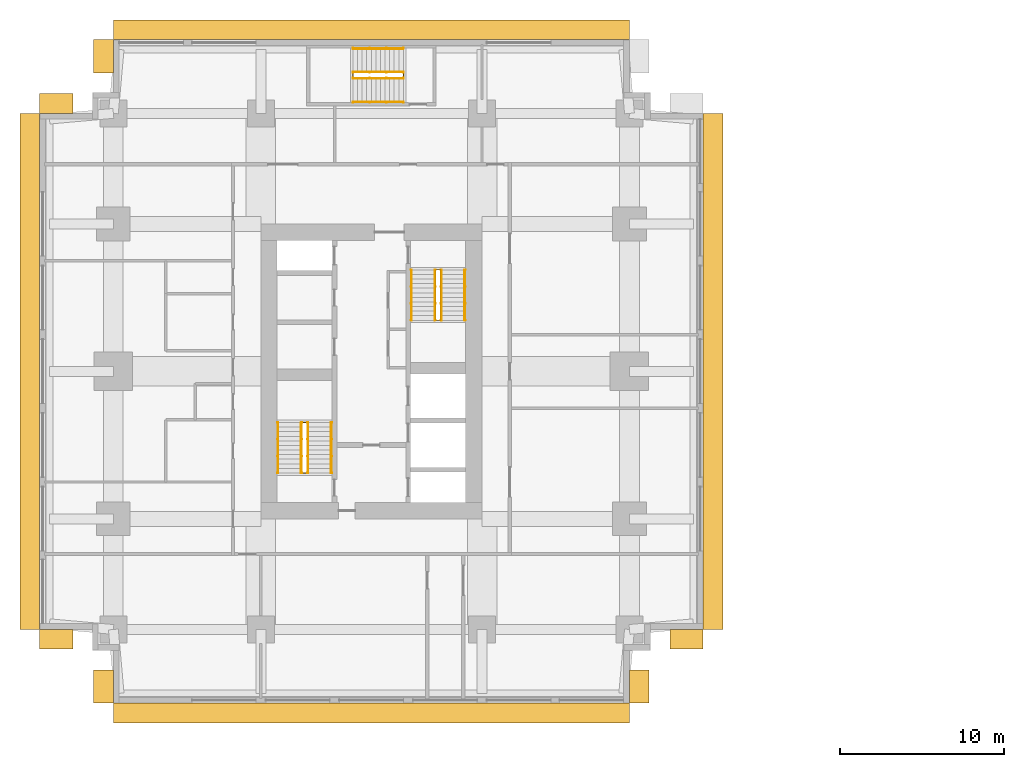
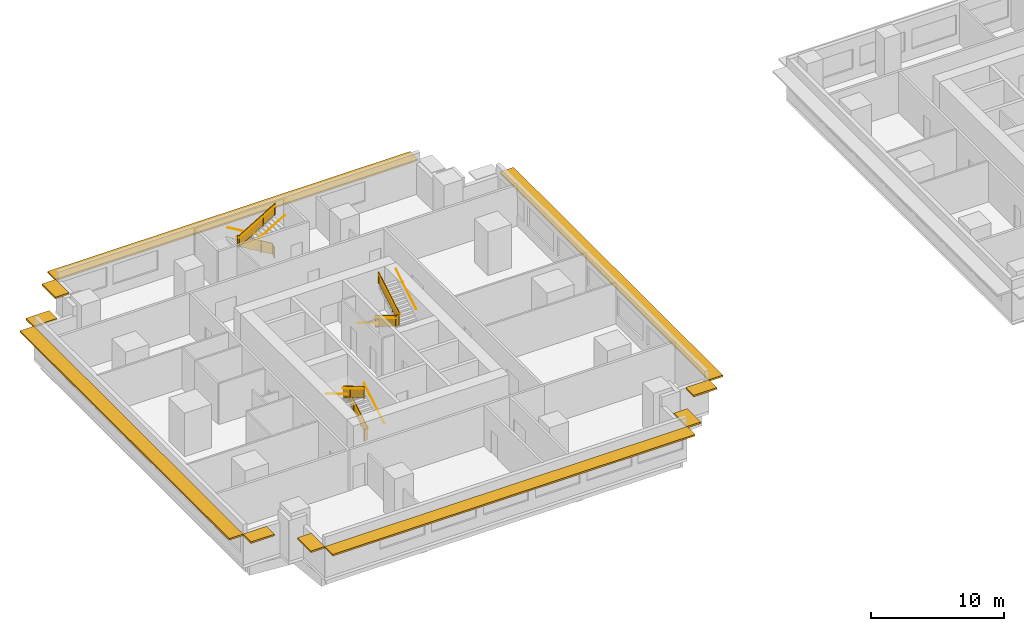
# One storey, part 10 of 11: 15 railings, 10 shading devices.
"""IFC4 building model written with IfcOpenShell, lengths in metres."""

from ifc_helpers import new_model, si_unit, direction, frame, origin, origin_2d, place, context, subcontext, project, spatial, polyline, rectangle, circle, outline, extrude, material, layer, layer_set, type_object, element, save


model = new_model("IFC4")

# Units and contexts
model_context = context("Model", 3, precision=1e-05, world=origin(), true_north=direction((0.0, 1.0)))
body_context = subcontext(model_context, "Body", "Model", "MODEL_VIEW")
ifc_project = project(units=[si_unit("LENGTHUNIT", "METRE"), si_unit("AREAUNIT", "SQUARE_METRE"), si_unit("VOLUMEUNIT", "CUBIC_METRE"), si_unit("PLANEANGLEUNIT", "RADIAN"), si_unit("MASSUNIT", "GRAM", prefix="KILO")], contexts=[model_context])

# Site, building, storey
site_placement = place(None, origin())
site = spatial("IfcSite", under=ifc_project, at=site_placement, CompositionType="ELEMENT")
building_placement = place(site_placement, origin())
building = spatial("IfcBuilding", under=site, at=building_placement, Name="Namib Vertical Campus", CompositionType="ELEMENT")
storey_placement = place(building_placement, frame((0.0, 0.0, 201.0)))
storey = spatial("IfcBuildingStorey", under=building, at=storey_placement, Name="L47", CompositionType="ELEMENT", Elevation=201.0)

# Railings
ifc_material_1 = material(Name="Steel handrail", Category="steel")
railing_type_1 = type_object("IfcRailingType", Name="Handrail 900", PredefinedType="HANDRAIL", material=ifc_material_1)
railing_1_placement = place(storey_placement, frame((17.800048828125, 14.050048828125, 0.166748046875)))
element("IfcRailing", 1, at=railing_1_placement, inside=storey, type_object=railing_type_1, Name="Handrail HR1 A-S1 L47 1", PredefinedType="HANDRAIL", context=body_context, shape_type="SweptSolid", body=[
    extrude(circle(Radius=0.02392578125, at=origin_2d()), frame((0.0, 0.0, 0.8759765625), z_axis=(0.0, 0.859290745958, 0.51148745235), x_axis=(-1.0, 0.0, 0.0)), (0.0, 0.0, 1.0), 3.584228515625),
    extrude(circle(Radius=0.008056640625, at=origin_2d()), frame((0.0, 0.0, 0.8759765625), z_axis=(1.0, 0.0, 0.0), x_axis=(0.0, 0.0, 1.0)), (0.0, 0.0, 1.0), 0.050048828125),
    extrude(circle(Radius=0.008056640625, at=origin_2d()), frame((0.0, 1.026611328125, 1.48681640625), z_axis=(1.0, 0.0, 0.0), x_axis=(0.0, 0.0, 1.0)), (0.0, 0.0, 1.0), 0.050048828125),
    extrude(circle(Radius=0.008056640625, at=origin_2d()), frame((0.0, 2.05322265625, 2.09814453125), z_axis=(1.0, 0.0, 0.0), x_axis=(0.0, 0.0, 1.0)), (0.0, 0.0, 1.0), 0.050048828125),
    extrude(circle(Radius=0.008056640625, at=origin_2d()), frame((0.0, 3.079833984375, 2.708984375), z_axis=(1.0, 0.0, 0.0), x_axis=(0.0, 0.0, 1.0)), (0.0, 0.0, 1.0), 0.050048828125),
])
railing_2_placement = place(storey_placement, frame((14.550048828125, 17.1298828125, 2.166748046875)))
element("IfcRailing", 2, at=railing_2_placement, inside=storey, type_object=railing_type_1, Name="Handrail HR1 A-S1 L47 2", PredefinedType="HANDRAIL", context=body_context, shape_type="SweptSolid", body=[
    extrude(circle(Radius=0.02392578125, at=origin_2d()), frame((0.0, 0.0, 0.8759765625), z_axis=(0.0, -0.859290745958, 0.51148745235), x_axis=(1.0, 0.0, 0.0)), (0.0, 0.0, 1.0), 3.584228515625),
    extrude(circle(Radius=0.008056640625, at=origin_2d()), frame((0.0, 0.0, 0.8759765625), z_axis=(-1.0, 0.0, 0.0), x_axis=(0.0, 0.0, 1.0)), (0.0, 0.0, 1.0), 0.050048828125),
    extrude(circle(Radius=0.008056640625, at=origin_2d()), frame((0.0, -1.026611328125, 1.48681640625), z_axis=(-1.0, 0.0, 0.0), x_axis=(0.0, 0.0, 1.0)), (0.0, 0.0, 1.0), 0.050048828125),
    extrude(circle(Radius=0.008056640625, at=origin_2d()), frame((0.0, -2.05322265625, 2.09814453125), z_axis=(-1.0, 0.0, 0.0), x_axis=(0.0, 0.0, 1.0)), (0.0, 0.0, 1.0), 0.050048828125),
    extrude(circle(Radius=0.008056640625, at=origin_2d()), frame((0.0, -3.079833984375, 2.708984375), z_axis=(-1.0, 0.0, 0.0), x_axis=(0.0, 0.0, 1.0)), (0.0, 0.0, 1.0), 0.050048828125),
])
railing_3_placement = place(storey_placement, frame((16.375, 14.050048828125, 0.166748046875)))
element("IfcRailing", 3, at=railing_3_placement, inside=storey, type_object=railing_type_1, Name="Handrail HR1 A-S1 L47 1 at the well", PredefinedType="HANDRAIL", context=body_context, shape_type="SweptSolid", body=[
    extrude(circle(Radius=0.02392578125, at=origin_2d()), frame((0.0, 0.0, 0.8759765625), z_axis=(0.0, 0.859290745958, 0.51148745235), x_axis=(-1.0, 0.0, 0.0)), (0.0, 0.0, 1.0), 3.584228515625),
    extrude(circle(Radius=0.008056640625, at=origin_2d()), frame((0.0, 0.0, 0.8759765625), z_axis=(-1.0, 0.0, 0.0), x_axis=(0.0, 0.0, 1.0)), (0.0, 0.0, 1.0), 0.0400390625),
    extrude(circle(Radius=0.008056640625, at=origin_2d()), frame((0.0, 1.026611328125, 1.48681640625), z_axis=(-1.0, 0.0, 0.0), x_axis=(0.0, 0.0, 1.0)), (0.0, 0.0, 1.0), 0.0400390625),
    extrude(circle(Radius=0.008056640625, at=origin_2d()), frame((0.0, 2.05322265625, 2.09814453125), z_axis=(-1.0, 0.0, 0.0), x_axis=(0.0, 0.0, 1.0)), (0.0, 0.0, 1.0), 0.0400390625),
    extrude(circle(Radius=0.008056640625, at=origin_2d()), frame((0.0, 3.079833984375, 2.708984375), z_axis=(-1.0, 0.0, 0.0), x_axis=(0.0, 0.0, 1.0)), (0.0, 0.0, 1.0), 0.0400390625),
])
railing_4_placement = place(storey_placement, frame((15.97509765625, 17.1298828125, 2.166748046875)))
element("IfcRailing", 4, at=railing_4_placement, inside=storey, type_object=railing_type_1, Name="Handrail HR1 A-S1 L47 2 at the well", PredefinedType="HANDRAIL", context=body_context, shape_type="SweptSolid", body=[
    extrude(circle(Radius=0.02392578125, at=origin_2d()), frame((0.0, 0.0, 0.8759765625), z_axis=(0.0, -0.859290745958, 0.51148745235), x_axis=(1.0, 0.0, 0.0)), (0.0, 0.0, 1.0), 3.584228515625),
    extrude(circle(Radius=0.008056640625, at=origin_2d()), frame((0.0, 0.0, 0.8759765625), z_axis=(1.0, 0.0, 0.0), x_axis=(0.0, 0.0, 1.0)), (0.0, 0.0, 1.0), 0.0400390625),
    extrude(circle(Radius=0.008056640625, at=origin_2d()), frame((0.0, -1.026611328125, 1.48681640625), z_axis=(1.0, 0.0, 0.0), x_axis=(0.0, 0.0, 1.0)), (0.0, 0.0, 1.0), 0.0400390625),
    extrude(circle(Radius=0.008056640625, at=origin_2d()), frame((0.0, -2.05322265625, 2.09814453125), z_axis=(1.0, 0.0, 0.0), x_axis=(0.0, 0.0, 1.0)), (0.0, 0.0, 1.0), 0.0400390625),
    extrude(circle(Radius=0.008056640625, at=origin_2d()), frame((0.0, -3.079833984375, 2.708984375), z_axis=(1.0, 0.0, 0.0), x_axis=(0.0, 0.0, 1.0)), (0.0, 0.0, 1.0), 0.0400390625),
])
railing_5_placement = place(storey_placement, frame((22.699951171875, 26.449951171875, 0.166748046875)))
element("IfcRailing", 5, at=railing_5_placement, inside=storey, type_object=railing_type_1, Name="Handrail HR1 A-S2 L47 1", PredefinedType="HANDRAIL", context=body_context, shape_type="SweptSolid", body=[
    extrude(circle(Radius=0.02392578125, at=origin_2d()), frame((0.0, 0.0, 0.8759765625), z_axis=(0.0, -0.859290745958, 0.51148745235), x_axis=(1.0, 0.0, 0.0)), (0.0, 0.0, 1.0), 3.584228515625),
    extrude(circle(Radius=0.008056640625, at=origin_2d()), frame((0.0, 0.0, 0.8759765625), z_axis=(-1.0, 0.0, 0.0), x_axis=(0.0, 0.0, 1.0)), (0.0, 0.0, 1.0), 0.050048828125),
    extrude(circle(Radius=0.008056640625, at=origin_2d()), frame((0.0, -1.026611328125, 1.48681640625), z_axis=(-1.0, 0.0, 0.0), x_axis=(0.0, 0.0, 1.0)), (0.0, 0.0, 1.0), 0.050048828125),
    extrude(circle(Radius=0.008056640625, at=origin_2d()), frame((0.0, -2.05322265625, 2.09814453125), z_axis=(-1.0, 0.0, 0.0), x_axis=(0.0, 0.0, 1.0)), (0.0, 0.0, 1.0), 0.050048828125),
    extrude(circle(Radius=0.008056640625, at=origin_2d()), frame((0.0, -3.079833984375, 2.708984375), z_axis=(-1.0, 0.0, 0.0), x_axis=(0.0, 0.0, 1.0)), (0.0, 0.0, 1.0), 0.050048828125),
])
railing_6_placement = place(storey_placement, frame((25.949951171875, 23.3701171875, 2.166748046875)))
element("IfcRailing", 6, at=railing_6_placement, inside=storey, type_object=railing_type_1, Name="Handrail HR1 A-S2 L47 2", PredefinedType="HANDRAIL", context=body_context, shape_type="SweptSolid", body=[
    extrude(circle(Radius=0.02392578125, at=origin_2d()), frame((0.0, 0.0, 0.8759765625), z_axis=(0.0, 0.859290745958, 0.51148745235), x_axis=(-1.0, 0.0, 0.0)), (0.0, 0.0, 1.0), 3.584228515625),
    extrude(circle(Radius=0.008056640625, at=origin_2d()), frame((0.0, 0.0, 0.8759765625), z_axis=(1.0, 0.0, 0.0), x_axis=(0.0, 0.0, 1.0)), (0.0, 0.0, 1.0), 0.050048828125),
    extrude(circle(Radius=0.008056640625, at=origin_2d()), frame((0.0, 1.026611328125, 1.48681640625), z_axis=(1.0, 0.0, 0.0), x_axis=(0.0, 0.0, 1.0)), (0.0, 0.0, 1.0), 0.050048828125),
    extrude(circle(Radius=0.008056640625, at=origin_2d()), frame((0.0, 2.05322265625, 2.09814453125), z_axis=(1.0, 0.0, 0.0), x_axis=(0.0, 0.0, 1.0)), (0.0, 0.0, 1.0), 0.050048828125),
    extrude(circle(Radius=0.008056640625, at=origin_2d()), frame((0.0, 3.079833984375, 2.708984375), z_axis=(1.0, 0.0, 0.0), x_axis=(0.0, 0.0, 1.0)), (0.0, 0.0, 1.0), 0.050048828125),
])
railing_7_placement = place(storey_placement, frame((24.125, 26.449951171875, 0.166748046875)))
element("IfcRailing", 7, at=railing_7_placement, inside=storey, type_object=railing_type_1, Name="Handrail HR1 A-S2 L47 1 at the well", PredefinedType="HANDRAIL", context=body_context, shape_type="SweptSolid", body=[
    extrude(circle(Radius=0.02392578125, at=origin_2d()), frame((0.0, 0.0, 0.8759765625), z_axis=(0.0, -0.859290745958, 0.51148745235), x_axis=(1.0, 0.0, 0.0)), (0.0, 0.0, 1.0), 3.584228515625),
    extrude(circle(Radius=0.008056640625, at=origin_2d()), frame((0.0, 0.0, 0.8759765625), z_axis=(1.0, 0.0, 0.0), x_axis=(0.0, 0.0, 1.0)), (0.0, 0.0, 1.0), 0.0400390625),
    extrude(circle(Radius=0.008056640625, at=origin_2d()), frame((0.0, -1.026611328125, 1.48681640625), z_axis=(1.0, 0.0, 0.0), x_axis=(0.0, 0.0, 1.0)), (0.0, 0.0, 1.0), 0.0400390625),
    extrude(circle(Radius=0.008056640625, at=origin_2d()), frame((0.0, -2.05322265625, 2.09814453125), z_axis=(1.0, 0.0, 0.0), x_axis=(0.0, 0.0, 1.0)), (0.0, 0.0, 1.0), 0.0400390625),
    extrude(circle(Radius=0.008056640625, at=origin_2d()), frame((0.0, -3.079833984375, 2.708984375), z_axis=(1.0, 0.0, 0.0), x_axis=(0.0, 0.0, 1.0)), (0.0, 0.0, 1.0), 0.0400390625),
])
railing_8_placement = place(storey_placement, frame((24.52490234375, 23.3701171875, 2.166748046875)))
element("IfcRailing", 8, at=railing_8_placement, inside=storey, type_object=railing_type_1, Name="Handrail HR1 A-S2 L47 2 at the well", PredefinedType="HANDRAIL", context=body_context, shape_type="SweptSolid", body=[
    extrude(circle(Radius=0.02392578125, at=origin_2d()), frame((0.0, 0.0, 0.8759765625), z_axis=(0.0, 0.859290745958, 0.51148745235), x_axis=(-1.0, 0.0, 0.0)), (0.0, 0.0, 1.0), 3.584228515625),
    extrude(circle(Radius=0.008056640625, at=origin_2d()), frame((0.0, 0.0, 0.8759765625), z_axis=(-1.0, 0.0, 0.0), x_axis=(0.0, 0.0, 1.0)), (0.0, 0.0, 1.0), 0.0400390625),
    extrude(circle(Radius=0.008056640625, at=origin_2d()), frame((0.0, 1.026611328125, 1.48681640625), z_axis=(-1.0, 0.0, 0.0), x_axis=(0.0, 0.0, 1.0)), (0.0, 0.0, 1.0), 0.0400390625),
    extrude(circle(Radius=0.008056640625, at=origin_2d()), frame((0.0, 2.05322265625, 2.09814453125), z_axis=(-1.0, 0.0, 0.0), x_axis=(0.0, 0.0, 1.0)), (0.0, 0.0, 1.0), 0.0400390625),
    extrude(circle(Radius=0.008056640625, at=origin_2d()), frame((0.0, 3.079833984375, 2.708984375), z_axis=(-1.0, 0.0, 0.0), x_axis=(0.0, 0.0, 1.0)), (0.0, 0.0, 1.0), 0.0400390625),
])
railing_9_placement = place(storey_placement, frame((22.199951171875, 39.949951171875, 0.166748046875)))
element("IfcRailing", 9, at=railing_9_placement, inside=storey, type_object=railing_type_1, Name="Handrail HR1 A-S3 L47 1", PredefinedType="HANDRAIL", context=body_context, shape_type="SweptSolid", body=[
    extrude(circle(Radius=0.02392578125, at=origin_2d()), frame((0.0, 0.0, 0.8759765625), z_axis=(-0.859290745958, 0.0, 0.51148745235), x_axis=(0.0, -1.0, 0.0)), (0.0, 0.0, 1.0), 3.584228515625),
    extrude(circle(Radius=0.008056640625, at=origin_2d()), frame((0.0, 0.0, 0.8759765625), z_axis=(0.0, 1.0, 0.0), x_axis=(0.0, 0.0, 1.0)), (0.0, 0.0, 1.0), 0.050048828125),
    extrude(circle(Radius=0.008056640625, at=origin_2d()), frame((-1.026611328125, 0.0, 1.48681640625), z_axis=(0.0, 1.0, 0.0), x_axis=(0.0, 0.0, 1.0)), (0.0, 0.0, 1.0), 0.050048828125),
    extrude(circle(Radius=0.008056640625, at=origin_2d()), frame((-2.05322265625, 0.0, 2.09814453125), z_axis=(0.0, 1.0, 0.0), x_axis=(0.0, 0.0, 1.0)), (0.0, 0.0, 1.0), 0.050048828125),
    extrude(circle(Radius=0.008056640625, at=origin_2d()), frame((-3.079833984375, 0.0, 2.708984375), z_axis=(0.0, 1.0, 0.0), x_axis=(0.0, 0.0, 1.0)), (0.0, 0.0, 1.0), 0.050048828125),
])
railing_10_placement = place(storey_placement, frame((19.1201171875, 36.699951171875, 2.166748046875)))
element("IfcRailing", 10, at=railing_10_placement, inside=storey, type_object=railing_type_1, Name="Handrail HR1 A-S3 L47 2", PredefinedType="HANDRAIL", context=body_context, shape_type="SweptSolid", body=[
    extrude(circle(Radius=0.02392578125, at=origin_2d()), frame((0.0, 0.0, 0.8759765625), z_axis=(0.859290745958, 0.0, 0.51148745235), x_axis=(0.0, 1.0, 0.0)), (0.0, 0.0, 1.0), 3.584228515625),
    extrude(circle(Radius=0.008056640625, at=origin_2d()), frame((0.0, 0.0, 0.8759765625), z_axis=(0.0, -1.0, 0.0), x_axis=(0.0, 0.0, 1.0)), (0.0, 0.0, 1.0), 0.050048828125),
    extrude(circle(Radius=0.008056640625, at=origin_2d()), frame((1.026611328125, 0.0, 1.48681640625), z_axis=(0.0, -1.0, 0.0), x_axis=(0.0, 0.0, 1.0)), (0.0, 0.0, 1.0), 0.050048828125),
    extrude(circle(Radius=0.008056640625, at=origin_2d()), frame((2.05322265625, 0.0, 2.09814453125), z_axis=(0.0, -1.0, 0.0), x_axis=(0.0, 0.0, 1.0)), (0.0, 0.0, 1.0), 0.050048828125),
    extrude(circle(Radius=0.008056640625, at=origin_2d()), frame((3.079833984375, 0.0, 2.708984375), z_axis=(0.0, -1.0, 0.0), x_axis=(0.0, 0.0, 1.0)), (0.0, 0.0, 1.0), 0.050048828125),
])
railing_11_placement = place(storey_placement, frame((22.199951171875, 38.52490234375, 0.166748046875)))
element("IfcRailing", 11, at=railing_11_placement, inside=storey, type_object=railing_type_1, Name="Handrail HR1 A-S3 L47 1 at the well", PredefinedType="HANDRAIL", context=body_context, shape_type="SweptSolid", body=[
    extrude(circle(Radius=0.02392578125, at=origin_2d()), frame((0.0, 0.0, 0.8759765625), z_axis=(-0.859290745958, 0.0, 0.51148745235), x_axis=(0.0, -1.0, 0.0)), (0.0, 0.0, 1.0), 3.584228515625),
    extrude(circle(Radius=0.008056640625, at=origin_2d()), frame((0.0, 0.0, 0.8759765625), z_axis=(0.0, -1.0, 0.0), x_axis=(0.0, 0.0, 1.0)), (0.0, 0.0, 1.0), 0.0400390625),
    extrude(circle(Radius=0.008056640625, at=origin_2d()), frame((-1.026611328125, 0.0, 1.48681640625), z_axis=(0.0, -1.0, 0.0), x_axis=(0.0, 0.0, 1.0)), (0.0, 0.0, 1.0), 0.0400390625),
    extrude(circle(Radius=0.008056640625, at=origin_2d()), frame((-2.05322265625, 0.0, 2.09814453125), z_axis=(0.0, -1.0, 0.0), x_axis=(0.0, 0.0, 1.0)), (0.0, 0.0, 1.0), 0.0400390625),
    extrude(circle(Radius=0.008056640625, at=origin_2d()), frame((-3.079833984375, 0.0, 2.708984375), z_axis=(0.0, -1.0, 0.0), x_axis=(0.0, 0.0, 1.0)), (0.0, 0.0, 1.0), 0.0400390625),
])
railing_12_placement = place(storey_placement, frame((19.1201171875, 38.125, 2.166748046875)))
element("IfcRailing", 12, at=railing_12_placement, inside=storey, type_object=railing_type_1, Name="Handrail HR1 A-S3 L47 2 at the well", PredefinedType="HANDRAIL", context=body_context, shape_type="SweptSolid", body=[
    extrude(circle(Radius=0.02392578125, at=origin_2d()), frame((0.0, 0.0, 0.8759765625), z_axis=(0.859290745958, 0.0, 0.51148745235), x_axis=(0.0, 1.0, 0.0)), (0.0, 0.0, 1.0), 3.584228515625),
    extrude(circle(Radius=0.008056640625, at=origin_2d()), frame((0.0, 0.0, 0.8759765625), z_axis=(0.0, 1.0, 0.0), x_axis=(0.0, 0.0, 1.0)), (0.0, 0.0, 1.0), 0.0400390625),
    extrude(circle(Radius=0.008056640625, at=origin_2d()), frame((1.026611328125, 0.0, 1.48681640625), z_axis=(0.0, 1.0, 0.0), x_axis=(0.0, 0.0, 1.0)), (0.0, 0.0, 1.0), 0.0400390625),
    extrude(circle(Radius=0.008056640625, at=origin_2d()), frame((2.05322265625, 0.0, 2.09814453125), z_axis=(0.0, 1.0, 0.0), x_axis=(0.0, 0.0, 1.0)), (0.0, 0.0, 1.0), 0.0400390625),
    extrude(circle(Radius=0.008056640625, at=origin_2d()), frame((3.079833984375, 0.0, 2.708984375), z_axis=(0.0, 1.0, 0.0), x_axis=(0.0, 0.0, 1.0)), (0.0, 0.0, 1.0), 0.0400390625),
])
ifc_material_2 = material(Name="Steel balustrade", Category="steel")
railing_type_2 = type_object("IfcRailingType", Name="Stair guard 1100", PredefinedType="GUARDRAIL", material=ifc_material_2)
railing_13_placement = place(storey_placement, frame((16.02490234375, 14.050048828125, 0.0)))
element("IfcRailing", 13, at=railing_13_placement, inside=storey, type_object=railing_type_2, Name="Stair guard GR1 A-S1 L47", PredefinedType="GUARDRAIL", context=body_context, shape_type="SweptSolid", body=[
    extrude(circle(Radius=0.02392578125, at=origin_2d()), frame((0.0, 0.0, 1.076171875), z_axis=(1.0, 0.0, 0.0), x_axis=(0.0, 1.0, 0.0)), (0.0, 0.0, 1.0), 0.300048828125),
    extrude(outline(polyline([(0.02099609375, 0.050048828125), (0.279052734375, 0.050048828125), (0.279052734375, 1.052001953125), (0.02099609375, 1.052001953125), (0.02099609375, 0.050048828125)])), frame((0.0, 0.010009765625, 0.0), z_axis=(0.0, -1.0, 0.0), x_axis=(1.0, 0.0, 0.0)), (0.0, 0.0, 1.0), 0.02001953125),
    extrude(circle(Radius=0.02392578125, at=origin_2d()), frame((0.300048828125, 0.0, 1.076171875), z_axis=(0.0, 0.0, 1.0), x_axis=(1.0, 0.0, 0.0)), (0.0, 0.0, 1.0), 0.166748046875),
    extrude(circle(Radius=0.02392578125, at=origin_2d()), frame((0.300048828125, 0.0, 1.24267578125), z_axis=(0.0, 0.859290745958, 0.51148745235), x_axis=(-1.0, 0.0, 0.0)), (0.0, 0.0, 1.0), 3.584228515625),
    extrude(outline(polyline([(0.02099609375, 0.0625), (3.058837890625, 1.870849609375), (3.058837890625, 2.872802734375), (0.02099609375, 1.064453125), (0.02099609375, 0.0625)])), frame((0.2900390625, 0.0, 0.166748046875), z_axis=(1.0, 0.0, 0.0), x_axis=(0.0, 1.0, 0.0)), (0.0, 0.0, 1.0), 0.02001953125),
    extrude(circle(Radius=0.02392578125, at=origin_2d()), frame((0.300048828125, 3.079833984375, 3.076171875), z_axis=(-1.0, 0.0, 0.0), x_axis=(0.0, -1.0, 0.0)), (0.0, 0.0, 1.0), 0.300048828125),
    extrude(outline(polyline([(0.02099609375, 0.050048828125), (0.279052734375, 0.050048828125), (0.279052734375, 1.052001953125), (0.02099609375, 1.052001953125), (0.02099609375, 0.050048828125)])), frame((0.300048828125, 3.06982421875, 2.0), z_axis=(0.0, 1.0, 0.0), x_axis=(-1.0, 0.0, 0.0)), (0.0, 0.0, 1.0), 0.02001953125),
    extrude(circle(Radius=0.02392578125, at=origin_2d()), frame((0.0, 3.079833984375, 3.076171875), z_axis=(0.0, 0.0, 1.0), x_axis=(1.0, 0.0, 0.0)), (0.0, 0.0, 1.0), 0.166748046875),
    extrude(circle(Radius=0.02392578125, at=origin_2d()), frame((0.0, 3.079833984375, 3.24267578125), z_axis=(0.0, -0.859290745958, 0.51148745235), x_axis=(1.0, 0.0, 0.0)), (0.0, 0.0, 1.0), 3.584228515625),
    extrude(outline(polyline([(0.02099609375, 0.0625), (3.058837890625, 1.870849609375), (3.058837890625, 2.872802734375), (0.02099609375, 1.064453125), (0.02099609375, 0.0625)])), frame((0.010009765625, 3.079833984375, 2.166748046875), z_axis=(-1.0, 0.0, 0.0), x_axis=(0.0, -1.0, 0.0)), (0.0, 0.0, 1.0), 0.02001953125),
    extrude(circle(Radius=0.02392578125, at=origin_2d()), frame((0.0, 0.0, 5.076171875), z_axis=(0.0, -1.0, 0.0), x_axis=(1.0, 0.0, 0.0)), (0.0, 0.0, 1.0), 0.050048828125),
    extrude(outline(polyline([(0.02099609375, 0.050048828125), (0.029052734375, 0.050048828125), (0.029052734375, 1.052001953125), (0.02099609375, 1.052001953125), (0.02099609375, 0.050048828125)])), frame((0.010009765625, 0.0, 4.0), z_axis=(-1.0, 0.0, 0.0), x_axis=(0.0, -1.0, 0.0)), (0.0, 0.0, 1.0), 0.02001953125),
    extrude(circle(Radius=0.02099609375, at=origin_2d()), origin(), (0.0, 0.0, 1.0), 1.052001953125),
    extrude(circle(Radius=0.02099609375, at=origin_2d()), frame((0.300048828125, 0.0, 0.166748046875)), (0.0, 0.0, 1.0), 1.052001953125),
    extrude(circle(Radius=0.02099609375, at=origin_2d()), frame((0.300048828125, 1.026611328125, 0.666748046875)), (0.0, 0.0, 1.0), 1.1630859375),
    extrude(circle(Radius=0.02099609375, at=origin_2d()), frame((0.300048828125, 2.05322265625, 1.33349609375)), (0.0, 0.0, 1.0), 1.107421875),
    extrude(circle(Radius=0.02099609375, at=origin_2d()), frame((0.300048828125, 3.079833984375, 2.0)), (0.0, 0.0, 1.0), 1.052001953125),
    extrude(circle(Radius=0.02099609375, at=origin_2d()), frame((0.0, 3.079833984375, 2.166748046875)), (0.0, 0.0, 1.0), 1.052001953125),
    extrude(circle(Radius=0.02099609375, at=origin_2d()), frame((0.0, 2.05322265625, 2.666748046875)), (0.0, 0.0, 1.0), 1.1630859375),
    extrude(circle(Radius=0.02099609375, at=origin_2d()), frame((0.0, 1.026611328125, 3.33349609375)), (0.0, 0.0, 1.0), 1.107421875),
    extrude(circle(Radius=0.02099609375, at=origin_2d()), frame((0.0, 0.0, 4.0)), (0.0, 0.0, 1.0), 1.052001953125),
    extrude(circle(Radius=0.02099609375, at=origin_2d()), frame((0.0, -0.050048828125, 4.0)), (0.0, 0.0, 1.0), 1.052001953125),
])
railing_14_placement = place(storey_placement, frame((24.47509765625, 26.449951171875, 0.0)))
element("IfcRailing", 14, at=railing_14_placement, inside=storey, type_object=railing_type_2, Name="Stair guard GR1 A-S2 L47", PredefinedType="GUARDRAIL", context=body_context, shape_type="SweptSolid", body=[
    extrude(circle(Radius=0.02392578125, at=origin_2d()), frame((0.0, 0.0, 1.076171875), z_axis=(-1.0, 0.0, 0.0), x_axis=(0.0, -1.0, 0.0)), (0.0, 0.0, 1.0), 0.300048828125),
    extrude(outline(polyline([(0.02099609375, 0.050048828125), (0.279052734375, 0.050048828125), (0.279052734375, 1.052001953125), (0.02099609375, 1.052001953125), (0.02099609375, 0.050048828125)])), frame((0.0, -0.010009765625, 0.0), z_axis=(0.0, 1.0, 0.0), x_axis=(-1.0, 0.0, 0.0)), (0.0, 0.0, 1.0), 0.02001953125),
    extrude(circle(Radius=0.02392578125, at=origin_2d()), frame((-0.300048828125, 0.0, 1.076171875), z_axis=(0.0, 0.0, 1.0), x_axis=(1.0, 0.0, 0.0)), (0.0, 0.0, 1.0), 0.166748046875),
    extrude(circle(Radius=0.02392578125, at=origin_2d()), frame((-0.300048828125, 0.0, 1.24267578125), z_axis=(0.0, -0.859290745958, 0.51148745235), x_axis=(1.0, 0.0, 0.0)), (0.0, 0.0, 1.0), 3.584228515625),
    extrude(outline(polyline([(0.02099609375, 0.0625), (3.058837890625, 1.870849609375), (3.058837890625, 2.872802734375), (0.02099609375, 1.064453125), (0.02099609375, 0.0625)])), frame((-0.2900390625, 0.0, 0.166748046875), z_axis=(-1.0, 0.0, 0.0), x_axis=(0.0, -1.0, 0.0)), (0.0, 0.0, 1.0), 0.02001953125),
    extrude(circle(Radius=0.02392578125, at=origin_2d()), frame((-0.300048828125, -3.079833984375, 3.076171875), z_axis=(1.0, 0.0, 0.0), x_axis=(0.0, 1.0, 0.0)), (0.0, 0.0, 1.0), 0.300048828125),
    extrude(outline(polyline([(0.02099609375, 0.050048828125), (0.279052734375, 0.050048828125), (0.279052734375, 1.052001953125), (0.02099609375, 1.052001953125), (0.02099609375, 0.050048828125)])), frame((-0.300048828125, -3.06982421875, 2.0), z_axis=(0.0, -1.0, 0.0), x_axis=(1.0, 0.0, 0.0)), (0.0, 0.0, 1.0), 0.02001953125),
    extrude(circle(Radius=0.02392578125, at=origin_2d()), frame((0.0, -3.079833984375, 3.076171875), z_axis=(0.0, 0.0, 1.0), x_axis=(1.0, 0.0, 0.0)), (0.0, 0.0, 1.0), 0.166748046875),
    extrude(circle(Radius=0.02392578125, at=origin_2d()), frame((0.0, -3.079833984375, 3.24267578125), z_axis=(0.0, 0.859290745958, 0.51148745235), x_axis=(-1.0, 0.0, 0.0)), (0.0, 0.0, 1.0), 3.584228515625),
    extrude(outline(polyline([(0.02099609375, 0.0625), (3.058837890625, 1.870849609375), (3.058837890625, 2.872802734375), (0.02099609375, 1.064453125), (0.02099609375, 0.0625)])), frame((-0.010009765625, -3.079833984375, 2.166748046875), z_axis=(1.0, 0.0, 0.0), x_axis=(0.0, 1.0, 0.0)), (0.0, 0.0, 1.0), 0.02001953125),
    extrude(circle(Radius=0.02392578125, at=origin_2d()), frame((0.0, 0.0, 5.076171875), z_axis=(0.0, 1.0, 0.0), x_axis=(-1.0, 0.0, 0.0)), (0.0, 0.0, 1.0), 0.050048828125),
    extrude(outline(polyline([(0.02099609375, 0.050048828125), (0.029052734375, 0.050048828125), (0.029052734375, 1.052001953125), (0.02099609375, 1.052001953125), (0.02099609375, 0.050048828125)])), frame((-0.010009765625, 0.0, 4.0), z_axis=(1.0, 0.0, 0.0), x_axis=(0.0, 1.0, 0.0)), (0.0, 0.0, 1.0), 0.02001953125),
    extrude(circle(Radius=0.02099609375, at=origin_2d()), origin(), (0.0, 0.0, 1.0), 1.052001953125),
    extrude(circle(Radius=0.02099609375, at=origin_2d()), frame((-0.300048828125, 0.0, 0.166748046875)), (0.0, 0.0, 1.0), 1.052001953125),
    extrude(circle(Radius=0.02099609375, at=origin_2d()), frame((-0.300048828125, -1.026611328125, 0.666748046875)), (0.0, 0.0, 1.0), 1.1630859375),
    extrude(circle(Radius=0.02099609375, at=origin_2d()), frame((-0.300048828125, -2.05322265625, 1.33349609375)), (0.0, 0.0, 1.0), 1.107421875),
    extrude(circle(Radius=0.02099609375, at=origin_2d()), frame((-0.300048828125, -3.079833984375, 2.0)), (0.0, 0.0, 1.0), 1.052001953125),
    extrude(circle(Radius=0.02099609375, at=origin_2d()), frame((0.0, -3.079833984375, 2.166748046875)), (0.0, 0.0, 1.0), 1.052001953125),
    extrude(circle(Radius=0.02099609375, at=origin_2d()), frame((0.0, -2.05322265625, 2.666748046875)), (0.0, 0.0, 1.0), 1.1630859375),
    extrude(circle(Radius=0.02099609375, at=origin_2d()), frame((0.0, -1.026611328125, 3.33349609375)), (0.0, 0.0, 1.0), 1.107421875),
    extrude(circle(Radius=0.02099609375, at=origin_2d()), frame((0.0, 0.0, 4.0)), (0.0, 0.0, 1.0), 1.052001953125),
    extrude(circle(Radius=0.02099609375, at=origin_2d()), frame((0.0, 0.050048828125, 4.0)), (0.0, 0.0, 1.0), 1.052001953125),
])
railing_15_placement = place(storey_placement, frame((22.199951171875, 38.175048828125, 0.0)))
element("IfcRailing", 15, at=railing_15_placement, inside=storey, type_object=railing_type_2, Name="Stair guard GR1 A-S3 L47", PredefinedType="GUARDRAIL", context=body_context, shape_type="SweptSolid", body=[
    extrude(circle(Radius=0.02392578125, at=origin_2d()), frame((0.0, 0.0, 1.076171875), z_axis=(0.0, 1.0, 0.0), x_axis=(-1.0, 0.0, 0.0)), (0.0, 0.0, 1.0), 0.300048828125),
    extrude(outline(polyline([(0.02099609375, 0.050048828125), (0.279052734375, 0.050048828125), (0.279052734375, 1.052001953125), (0.02099609375, 1.052001953125), (0.02099609375, 0.050048828125)])), frame((-0.010009765625, 0.0, 0.0), z_axis=(1.0, 0.0, 0.0), x_axis=(0.0, 1.0, 0.0)), (0.0, 0.0, 1.0), 0.02001953125),
    extrude(circle(Radius=0.02392578125, at=origin_2d()), frame((0.0, 0.300048828125, 1.076171875), z_axis=(0.0, 0.0, 1.0), x_axis=(1.0, 0.0, 0.0)), (0.0, 0.0, 1.0), 0.166748046875),
    extrude(circle(Radius=0.02392578125, at=origin_2d()), frame((0.0, 0.300048828125, 1.24267578125), z_axis=(-0.859290745958, 0.0, 0.51148745235), x_axis=(0.0, -1.0, 0.0)), (0.0, 0.0, 1.0), 3.584228515625),
    extrude(outline(polyline([(0.02099609375, 0.0625), (3.058837890625, 1.870849609375), (3.058837890625, 2.872802734375), (0.02099609375, 1.064453125), (0.02099609375, 0.0625)])), frame((0.0, 0.2900390625, 0.166748046875), z_axis=(0.0, 1.0, 0.0), x_axis=(-1.0, 0.0, 0.0)), (0.0, 0.0, 1.0), 0.02001953125),
    extrude(circle(Radius=0.02392578125, at=origin_2d()), frame((-3.079833984375, 0.300048828125, 3.076171875), z_axis=(0.0, -1.0, 0.0), x_axis=(1.0, 0.0, 0.0)), (0.0, 0.0, 1.0), 0.300048828125),
    extrude(outline(polyline([(0.02099609375, 0.050048828125), (0.279052734375, 0.050048828125), (0.279052734375, 1.052001953125), (0.02099609375, 1.052001953125), (0.02099609375, 0.050048828125)])), frame((-3.06982421875, 0.300048828125, 2.0), z_axis=(-1.0, 0.0, 0.0), x_axis=(0.0, -1.0, 0.0)), (0.0, 0.0, 1.0), 0.02001953125),
    extrude(circle(Radius=0.02392578125, at=origin_2d()), frame((-3.079833984375, 0.0, 3.076171875), z_axis=(0.0, 0.0, 1.0), x_axis=(1.0, 0.0, 0.0)), (0.0, 0.0, 1.0), 0.166748046875),
    extrude(circle(Radius=0.02392578125, at=origin_2d()), frame((-3.079833984375, 0.0, 3.24267578125), z_axis=(0.859290745958, 0.0, 0.51148745235), x_axis=(0.0, 1.0, 0.0)), (0.0, 0.0, 1.0), 3.584228515625),
    extrude(outline(polyline([(0.02099609375, 0.0625), (3.058837890625, 1.870849609375), (3.058837890625, 2.872802734375), (0.02099609375, 1.064453125), (0.02099609375, 0.0625)])), frame((-3.079833984375, 0.010009765625, 2.166748046875), z_axis=(0.0, -1.0, 0.0), x_axis=(1.0, 0.0, 0.0)), (0.0, 0.0, 1.0), 0.02001953125),
    extrude(circle(Radius=0.02392578125, at=origin_2d()), frame((0.0, 0.0, 5.076171875), z_axis=(1.0, 0.0, 0.0), x_axis=(0.0, 1.0, 0.0)), (0.0, 0.0, 1.0), 0.050048828125),
    extrude(outline(polyline([(0.02099609375, 0.050048828125), (0.029052734375, 0.050048828125), (0.029052734375, 1.052001953125), (0.02099609375, 1.052001953125), (0.02099609375, 0.050048828125)])), frame((0.0, 0.010009765625, 4.0), z_axis=(0.0, -1.0, 0.0), x_axis=(1.0, 0.0, 0.0)), (0.0, 0.0, 1.0), 0.02001953125),
    extrude(circle(Radius=0.02099609375, at=origin_2d()), origin(), (0.0, 0.0, 1.0), 1.052001953125),
    extrude(circle(Radius=0.02099609375, at=origin_2d()), frame((0.0, 0.300048828125, 0.166748046875)), (0.0, 0.0, 1.0), 1.052001953125),
    extrude(circle(Radius=0.02099609375, at=origin_2d()), frame((-1.026611328125, 0.300048828125, 0.666748046875)), (0.0, 0.0, 1.0), 1.1630859375),
    extrude(circle(Radius=0.02099609375, at=origin_2d()), frame((-2.05322265625, 0.300048828125, 1.33349609375)), (0.0, 0.0, 1.0), 1.107421875),
    extrude(circle(Radius=0.02099609375, at=origin_2d()), frame((-3.079833984375, 0.300048828125, 2.0)), (0.0, 0.0, 1.0), 1.052001953125),
    extrude(circle(Radius=0.02099609375, at=origin_2d()), frame((-3.079833984375, 0.0, 2.166748046875)), (0.0, 0.0, 1.0), 1.052001953125),
    extrude(circle(Radius=0.02099609375, at=origin_2d()), frame((-2.05322265625, 0.0, 2.666748046875)), (0.0, 0.0, 1.0), 1.1630859375),
    extrude(circle(Radius=0.02099609375, at=origin_2d()), frame((-1.026611328125, 0.0, 3.33349609375)), (0.0, 0.0, 1.0), 1.107421875),
    extrude(circle(Radius=0.02099609375, at=origin_2d()), frame((0.0, 0.0, 4.0)), (0.0, 0.0, 1.0), 1.052001953125),
    extrude(circle(Radius=0.02099609375, at=origin_2d()), frame((0.050048828125, 0.0, 4.0)), (0.0, 0.0, 1.0), 1.052001953125),
])

# Shading devices
ifc_material_3 = material(Name="Concrete C40/50 precast", Category="concrete")
ifc_layer = layer(ifc_material_3, 0.14990234375)
ifc_layer_set = layer_set([ifc_layer], Name="Concrete C40/50 precast")
shading_device_type = type_object("IfcShadingDeviceType", Name="Sunshade hood 1200", PredefinedType="SHUTTER", material=ifc_layer_set)
shading_device_1_placement = place(storey_placement, frame((20.25, -0.60009765625, 2.75), z_axis=(0.0, 0.0, 1.0), x_axis=(1.0, 0.0, 0.0)))
element("IfcShadingDevice", 16, at=shading_device_1_placement, inside=storey, type_object=shading_device_type, Name="Sunshade SH2 L47 1", PredefinedType="SHUTTER", context=body_context, shape_type="SweptSolid", body=[
    extrude(rectangle(XDim=31.5, YDim=1.199951171875, at=origin_2d()), origin(), (0.0, 0.0, 1.0), 0.14990234375),
])
for number, where, z_axis, x_axis, name in (
    (17, (36.60009765625, 1.012451171875, 2.75), (0.0, 0.0, 1.0), (0.0, 1.0, 0.0), "Sunshade SH2 L47 2"),
    (18, (39.487548828125, 3.89990234375, 2.75), (0.0, 0.0, 1.0), (1.0, 0.0, 0.0), "Sunshade SH2 L47 5"),
):
    element("IfcShadingDevice", number, at=place(storey_placement, frame(where, z_axis=z_axis, x_axis=x_axis)), inside=storey, type_object=shading_device_type, Name=name, PredefinedType="SHUTTER", context=body_context, shape_type="SweptSolid", body=[
        extrude(rectangle(XDim=2.02490234375, YDim=1.199951171875, at=origin_2d()), origin(), (0.0, 0.0, 1.0), 0.14990234375),
    ])
for number, where, z_axis, x_axis, name in (
    (19, (41.10009765625, 20.25, 2.75), (0.0, 0.0, 1.0), (0.0, 1.0, 0.0), "Sunshade SH2 L47 6"),
    (20, (20.25, 41.10009765625, 2.75), (0.0, 0.0, 1.0), (-1.0, 0.0, 0.0), "Sunshade SH2 L47 11"),
):
    element("IfcShadingDevice", number, at=place(storey_placement, frame(where, z_axis=z_axis, x_axis=x_axis)), inside=storey, type_object=shading_device_type, Name=name, PredefinedType="SHUTTER", context=body_context, shape_type="SweptSolid", body=[
        extrude(rectangle(XDim=31.5, YDim=1.199951171875, at=origin_2d()), origin(), (0.0, 0.0, 1.0), 0.14990234375),
    ])
for number, where, z_axis, x_axis, name in (
    (21, (3.89990234375, 39.487548828125, 2.75), (0.0, 0.0, 1.0), (0.0, -1.0, 0.0), "Sunshade SH2 L47 12"),
    (22, (1.012451171875, 36.60009765625, 2.75), (0.0, 0.0, 1.0), (-1.0, 0.0, 0.0), "Sunshade SH2 L47 15"),
):
    element("IfcShadingDevice", number, at=place(storey_placement, frame(where, z_axis=z_axis, x_axis=x_axis)), inside=storey, type_object=shading_device_type, Name=name, PredefinedType="SHUTTER", context=body_context, shape_type="SweptSolid", body=[
        extrude(rectangle(XDim=2.02490234375, YDim=1.199951171875, at=origin_2d()), origin(), (0.0, 0.0, 1.0), 0.14990234375),
    ])
shading_device_2_placement = place(storey_placement, frame((-0.60009765625, 20.25, 2.75), z_axis=(0.0, 0.0, 1.0), x_axis=(0.0, -1.0, 0.0)))
element("IfcShadingDevice", 23, at=shading_device_2_placement, inside=storey, type_object=shading_device_type, Name="Sunshade SH2 L47 16", PredefinedType="SHUTTER", context=body_context, shape_type="SweptSolid", body=[
    extrude(rectangle(XDim=31.5, YDim=1.199951171875, at=origin_2d()), origin(), (0.0, 0.0, 1.0), 0.14990234375),
])
for number, where, z_axis, x_axis, name in (
    (24, (1.012451171875, 3.89990234375, 2.75), (0.0, 0.0, 1.0), (1.0, 0.0, 0.0), "Sunshade SH2 L47 17"),
    (25, (3.89990234375, 1.012451171875, 2.75), (0.0, 0.0, 1.0), (0.0, -1.0, 0.0), "Sunshade SH2 L47 20"),
):
    element("IfcShadingDevice", number, at=place(storey_placement, frame(where, z_axis=z_axis, x_axis=x_axis)), inside=storey, type_object=shading_device_type, Name=name, PredefinedType="SHUTTER", context=body_context, shape_type="SweptSolid", body=[
        extrude(rectangle(XDim=2.02490234375, YDim=1.199951171875, at=origin_2d()), origin(), (0.0, 0.0, 1.0), 0.14990234375),
    ])

save(model, "model.ifc")
